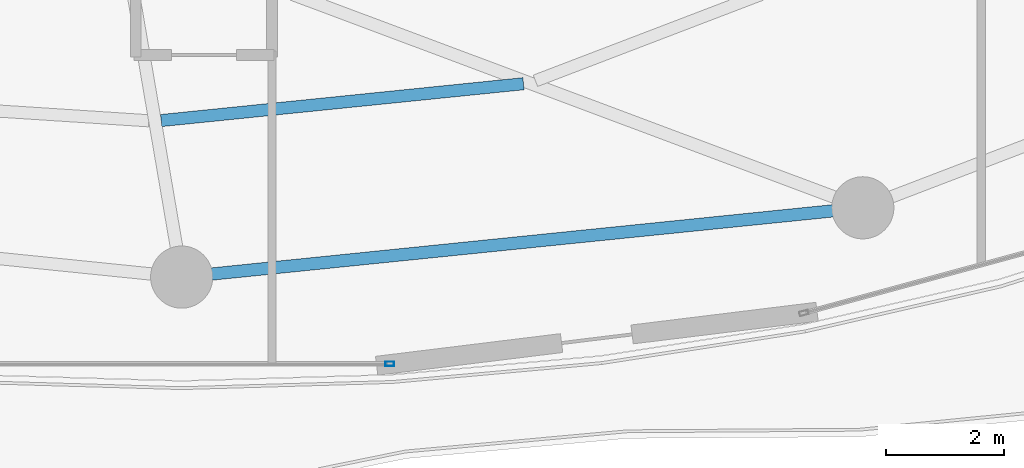
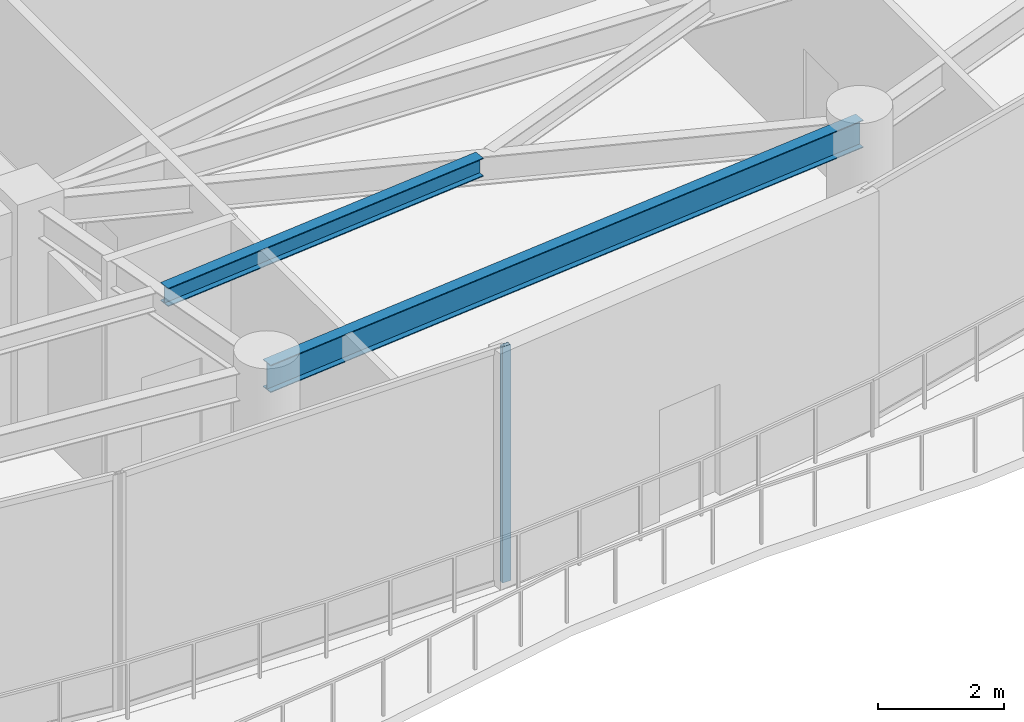
# One storey, part 9 of 28: 2 beams, 1 member, 1 element without a shape of its own.
"""IFC4 building model written with IfcOpenShell, lengths in metres."""

from ifc_helpers import new_model, si_unit, direction, frame, origin, origin_2d, place, context, subcontext, project, spatial, hollow_rectangle, i_section, extrude, material, layer, layer_set, material_profile, profile_set, type_object, element, aggregate, save


model = new_model("IFC4")

# Units and contexts
model_context = context("Model", 3, precision=1e-05, world=origin(), true_north=direction((0.0, 1.0)))
body_context = subcontext(model_context, "Body", "Model", "MODEL_VIEW")
ifc_project = project(units=[si_unit("LENGTHUNIT", "METRE"), si_unit("AREAUNIT", "SQUARE_METRE"), si_unit("VOLUMEUNIT", "CUBIC_METRE"), si_unit("PLANEANGLEUNIT", "RADIAN"), si_unit("MASSUNIT", "GRAM", prefix="KILO")], contexts=[model_context])

# Site, building, storey
site_placement = place(None, origin())
site = spatial("IfcSite", under=ifc_project, at=site_placement, CompositionType="ELEMENT")
building_placement = place(site_placement, origin())
building = spatial("IfcBuilding", under=site, at=building_placement, Name="Kazevale Care Tower and Concert Hall", CompositionType="ELEMENT")
storey_placement = place(building_placement, frame((0.0, 0.0, 190.800048828125)))
storey = spatial("IfcBuildingStorey", under=building, at=storey_placement, Name="L50", CompositionType="ELEMENT", Elevation=190.800048828125)

# Curtain wall, member
ifc_material_1 = material(Name="Aluminium 6063-T6 and Low-E Glass", Category="aluminium")
ifc_layer = layer(ifc_material_1, 0.179931640625)
ifc_layer_set = layer_set([ifc_layer], Name="Aluminium 6063-T6 and Low-E Glass")
curtain_wall_type = type_object("IfcCurtainWallType", Name="Sheltered Concave Balcony Curtain Wall CW-5", PredefinedType="NOTDEFINED", material=ifc_layer_set)
curtain_wall_placement = place(storey_placement, origin())
curtain_wall = element("IfcCurtainWall", 1, at=curtain_wall_placement, inside=storey, type_object=curtain_wall_type, Name="cw:L50:f06", PredefinedType="NOTDEFINED")
ifc_material_2 = material(Name="Aluminium 6063-T6", Category="aluminium")
ifc_material_profile_1 = material_profile(ifc_material_2, hollow_rectangle(XDim=0.074951171875, YDim=0.14990234375, WallThickness=0.00390625, at=origin_2d()), Name="ALU75x150x4")
ifc_profile_set_1 = profile_set([ifc_material_profile_1], Name="Aluminium 6063-T6")
member_type = type_object("IfcMemberType", Name="CW-5 Mullion ALU75x150x4", PredefinedType="MULLION", material=ifc_profile_set_1)
member_placement = place(storey_placement, frame((48.512451171875, 16.284912109375, 0.0), z_axis=(0.0, 0.0, 1.0), x_axis=(0.0, -1.0, 0.0)))
member = element("IfcMember", 2, at=member_placement, type_object=member_type, Name="CW-5 mullion 1", PredefinedType="MULLION", context=body_context, shape_type="SweptSolid", body=[
    extrude(hollow_rectangle(XDim=0.074951171875, YDim=0.14990234375, WallThickness=0.00390625, at=origin_2d()), origin(), (0.0, 0.0, 1.0), 4.56005859375),
])
aggregate(curtain_wall, [member])

# Beams
ifc_material_3 = material(Name="Steel ASTM A572 Gr 50", Category="steel")
ifc_material_profile_2 = material_profile(ifc_material_3, i_section(OverallWidth=0.205078125, OverallDepth=0.35400390625, WebThickness=0.009521484375, FlangeThickness=0.016845703125, at=origin_2d()), Name="W360x79")
ifc_profile_set_2 = profile_set([ifc_material_profile_2], Name="Steel ASTM A572 Gr 50")
beam_type_1 = type_object("IfcBeamType", Name="Secondary Floor Joist W360x79", PredefinedType="JOIST", material=ifc_profile_set_2)
beam_1_placement = place(storey_placement, frame((44.654052734375, 20.39306640625, 4.383056640625), z_axis=(0.994872697807, 0.10113513316, 0.0), x_axis=(-0.10113513316, 0.994872697807, 0.0)))
element("IfcBeam", 3, at=beam_1_placement, inside=storey, type_object=beam_type_1, Name="beam:L50:joist:13", PredefinedType="JOIST", context=body_context, shape_type="SweptSolid", body=[
    extrude(i_section(OverallWidth=0.205078125, OverallDepth=0.35400390625, WebThickness=0.009521484375, FlangeThickness=0.016845703125, at=origin_2d()), origin(), (0.0, 0.0, 1.0), 6.1484375),
])
ifc_material_profile_3 = material_profile(ifc_material_3, i_section(OverallWidth=0.208984375, OverallDepth=0.532958984375, WebThickness=0.01025390625, FlangeThickness=0.015625, at=origin_2d()), Name="W530x92")
ifc_profile_set_3 = profile_set([ifc_material_profile_3], Name="Steel ASTM A572 Gr 50")
beam_type_2 = type_object("IfcBeamType", Name="Upper Ring Beam W530x92", PredefinedType="BEAM", material=ifc_profile_set_3)
beam_2_placement = place(storey_placement, frame((45.0, 17.75, 4.29345703125), z_axis=(0.994865089307, 0.101209950492, 0.0), x_axis=(-0.101209950492, 0.994865089307, 0.0)))
element("IfcBeam", 4, at=beam_2_placement, inside=storey, type_object=beam_type_2, Name="beam:L50:ring:13", PredefinedType="BEAM", context=body_context, shape_type="SweptSolid", body=[
    extrude(i_section(OverallWidth=0.208984375, OverallDepth=0.532958984375, WebThickness=0.01025390625, FlangeThickness=0.015625, at=origin_2d()), origin(), (0.0, 0.0, 1.0), 11.559326171875),
])

save(model, "model.ifc")
